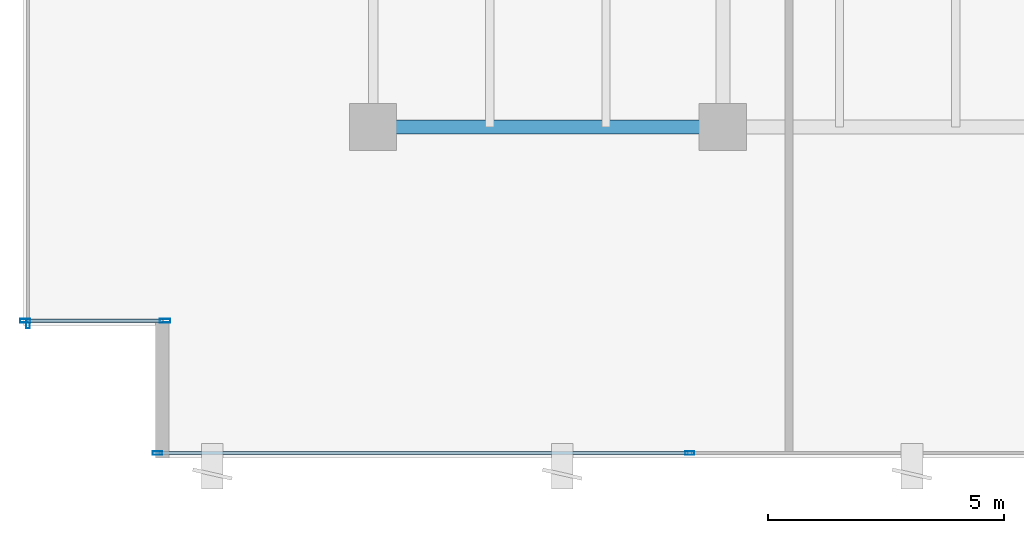
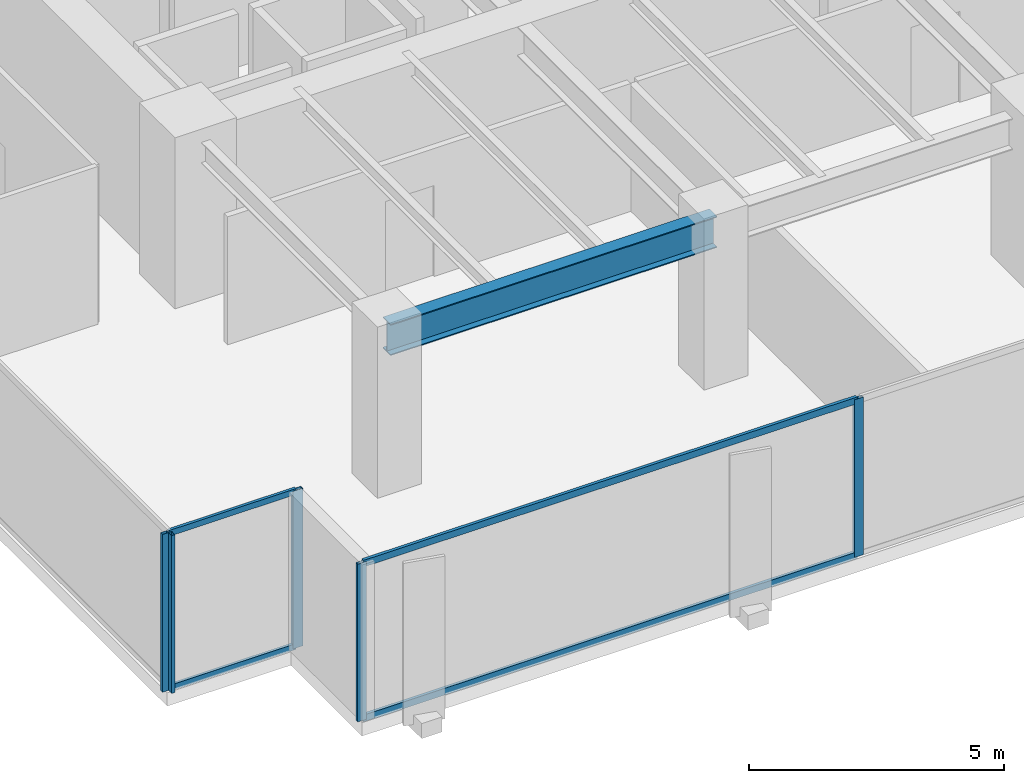
# One storey, part 2 of 36: 9 members, 1 beam, 3 elements without a shape of their own.
"""IFC4 building model written with IfcOpenShell, lengths in metres."""

from ifc_helpers import new_model, si_unit, direction, frame, origin, origin_2d, place, context, subcontext, project, spatial, hollow_rectangle, i_section, extrude, source, transform, mapped, material, layer, layer_set, material_profile, profile_set, type_object, type_shapes, element, aggregate, save


model = new_model("IFC4")

# Units and contexts
model_context = context("Model", 3, precision=1e-05, world=origin(), true_north=direction((0.0, 1.0)))
body_context = subcontext(model_context, "Body", "Model", "MODEL_VIEW")
ifc_project = project(units=[si_unit("LENGTHUNIT", "METRE"), si_unit("AREAUNIT", "SQUARE_METRE"), si_unit("VOLUMEUNIT", "CUBIC_METRE"), si_unit("PLANEANGLEUNIT", "RADIAN"), si_unit("MASSUNIT", "GRAM", prefix="KILO")], contexts=[model_context])

# Site, building, storey
site_placement = place(None, origin())
site = spatial("IfcSite", under=ifc_project, at=site_placement, CompositionType="ELEMENT")
building_placement = place(site_placement, origin())
building = spatial("IfcBuilding", under=site, at=building_placement, Name="Haelvirn Gate Laboratories", CompositionType="ELEMENT")
storey_placement = place(building_placement, frame((0.0, 0.0, 29.300048828125)))
storey = spatial("IfcBuildingStorey", under=building, at=storey_placement, Name="L07", CompositionType="ELEMENT", Elevation=29.300048828125)

# Beam
ifc_material_1 = material(Name="Steel SM355", Category="steel")
ifc_material_profile_1 = material_profile(ifc_material_1, i_section(OverallWidth=0.300048828125, OverallDepth=0.75, WebThickness=0.013916015625, FlangeThickness=0.02392578125, at=origin_2d()), Name="H-750x300x14x24")
ifc_profile_set_1 = profile_set([ifc_material_profile_1], Name="Steel SM355")
beam_type = type_object("IfcBeamType", Name="BM-G-750", PredefinedType="BEAM", material=ifc_profile_set_1)
shared_shape_1 = source(origin(), body_context, "Body", "SweptSolid", [
    extrude(i_section(OverallWidth=0.300048828125, OverallDepth=0.75, WebThickness=0.013916015625, FlangeThickness=0.02392578125, at=origin_2d()), origin(), (0.0, 0.0, 1.0), 7.400146484375),
])
type_shapes(beam_type, [shared_shape_1])
beam_placement = place(storey_placement, frame((7.39990234375, 7.0, 3.405029296875), z_axis=(1.0, 0.0, 0.0), x_axis=(0.0, 1.0, 0.0)))
element("IfcBeam", 1, at=beam_placement, inside=storey, type_object=beam_type, Name="L07 Primary Girder Y7.0 (7.4-14.8)", PredefinedType="BEAM", context=body_context, shape_type="MappedRepresentation", body=[
    mapped(shared_shape_1, transform((0.0, 0.0, 0.0), scale=1.0)),
])

# Curtain wall, members
ifc_material_2 = material(Name="Anodised bronze unitised aluminium & triple low-E glass", Category="aluminium")
ifc_layer_1 = layer(ifc_material_2, 0.18408203125, Name="CW-SYS-2")
ifc_layer_set_1 = layer_set([ifc_layer_1], Name="Anodised bronze unitised aluminium & triple low-E glass")
curtain_wall_type_1 = type_object("IfcCurtainWallType", Name="CW-SYS-2", PredefinedType="NOTDEFINED", material=ifc_layer_set_1)
curtain_wall_1_placement = place(storey_placement, origin())
curtain_wall_1 = element("IfcCurtainWall", 2, at=curtain_wall_1_placement, inside=storey, type_object=curtain_wall_type_1, Name="L07 Unitised Curtain Wall CW-L07-P0-E00-1", PredefinedType="NOTDEFINED")
ifc_material_3 = material(Name="Extruded aluminium 6063-T6 (anodised bronze)", Category="aluminium")
ifc_material_profile_2 = material_profile(ifc_material_3, hollow_rectangle(XDim=0.074951171875, YDim=0.199951171875, WallThickness=0.0048828125, at=origin_2d()), Name="CWM-200x75x5")
ifc_profile_set_2 = profile_set([ifc_material_profile_2], Name="Extruded aluminium 6063-T6 (anodised bronze)")
member_type_1 = type_object("IfcMemberType", Name="CWM-T200", PredefinedType="MULLION", material=ifc_profile_set_2)
shared_shape_2 = source(origin(), body_context, "Body", "SweptSolid", [
    extrude(hollow_rectangle(XDim=0.074951171875, YDim=0.199951171875, WallThickness=0.0048828125, at=origin_2d()), origin(), (0.0, 0.0, 1.0), 3.780029296875),
])
type_shapes(member_type_1, [shared_shape_2])
member_1_placement = place(storey_placement, frame((2.83740234375, 0.10009765625, 0.0), z_axis=(0.0, 0.0, 1.0), x_axis=(0.0, 1.0, 0.0)))
member_1 = element("IfcMember", 3, at=member_1_placement, type_object=member_type_1, Name="CW2 mullion 1", PredefinedType="MULLION", context=body_context, shape_type="MappedRepresentation", body=[
    mapped(shared_shape_2, transform((0.0, 0.0, 0.0), scale=1.0)),
])
member_2_placement = place(storey_placement, frame((14.10009765625, 0.10009765625, 0.0), z_axis=(0.0, 0.0, 1.0), x_axis=(0.0, 1.0, 0.0)))
member_2 = element("IfcMember", 4, at=member_2_placement, type_object=member_type_1, Name="CW2 mullion 2", PredefinedType="MULLION", context=body_context, shape_type="MappedRepresentation", body=[
    mapped(shared_shape_2, transform((0.0, 0.0, 0.0), scale=1.0)),
])

# Curtain wall, member
curtain_wall_2_placement = place(storey_placement, origin())
curtain_wall_2 = element("IfcCurtainWall", 5, at=curtain_wall_2_placement, inside=storey, type_object=curtain_wall_type_1, Name="L07 Unitised Curtain Wall CW-L07-P0-E17", PredefinedType="NOTDEFINED")
member_3_placement = place(storey_placement, frame((0.10009765625, 2.83740234375, 0.0), z_axis=(0.0, 0.0, 1.0), x_axis=(1.0, 0.0, 0.0)))
member_3 = element("IfcMember", 6, at=member_3_placement, type_object=member_type_1, Name="CW2 mullion 4", PredefinedType="MULLION", context=body_context, shape_type="MappedRepresentation", body=[
    mapped(shared_shape_2, transform((0.0, 0.0, 0.0), scale=1.0)),
])
aggregate(curtain_wall_2, [member_3])

# Member
ifc_material_profile_3 = material_profile(ifc_material_3, hollow_rectangle(XDim=0.070068359375, YDim=0.159912109375, WallThickness=0.0048828125, at=origin_2d()), Name="CWT-160x70x5")
ifc_profile_set_3 = profile_set([ifc_material_profile_3], Name="Extruded aluminium 6063-T6 (anodised bronze)")
member_type_2 = type_object("IfcMemberType", Name="CWT-T160", PredefinedType="USERDEFINED", material=ifc_profile_set_3)
shared_shape_3 = source(origin(), body_context, "Body", "SweptSolid", [
    extrude(hollow_rectangle(XDim=0.070068359375, YDim=0.159912109375, WallThickness=0.0048828125, at=origin_2d()), origin(), (0.0, 0.0, 1.0), 11.1875),
])
type_shapes(member_type_2, [shared_shape_3])
member_4_placement = place(storey_placement, frame((2.875, 0.10009765625, 0.034912109375), z_axis=(1.0, 0.0, 0.0), x_axis=(0.0, 1.0, 0.0)))
member_4 = element("IfcMember", 7, at=member_4_placement, type_object=member_type_2, Name="CW2 transom 1.1", ObjectType="TRANSOM", PredefinedType="USERDEFINED", context=body_context, shape_type="MappedRepresentation", body=[
    mapped(shared_shape_3, transform((0.0, 0.0, 0.0), scale=1.0)),
])

member_5_placement = place(storey_placement, frame((2.875, 0.10009765625, 3.744873046875), z_axis=(1.0, 0.0, 0.0), x_axis=(0.0, 1.0, 0.0)))
member_5 = element("IfcMember", 8, at=member_5_placement, type_object=member_type_2, Name="CW2 transom 1.2", ObjectType="TRANSOM", PredefinedType="USERDEFINED", context=body_context, shape_type="MappedRepresentation", body=[
    mapped(shared_shape_3, transform((0.0, 0.0, 0.0), scale=1.0)),
])

aggregate(curtain_wall_1, [member_1, member_2, member_4, member_5])

# Curtain wall, members
ifc_layer_2 = layer(ifc_material_2, 0.181884765625, Name="CW-SYS-5")
ifc_layer_set_2 = layer_set([ifc_layer_2], Name="Anodised bronze unitised aluminium & triple low-E glass")
curtain_wall_type_2 = type_object("IfcCurtainWallType", Name="CW-SYS-5", PredefinedType="NOTDEFINED", material=ifc_layer_set_2)
curtain_wall_3_placement = place(storey_placement, origin())
curtain_wall_3 = element("IfcCurtainWall", 9, at=curtain_wall_3_placement, inside=storey, type_object=curtain_wall_type_2, Name="L07 Unitised Curtain Wall CW-L07-P0-E18-1", PredefinedType="NOTDEFINED")
ifc_material_profile_4 = material_profile(ifc_material_3, hollow_rectangle(XDim=0.080078125, YDim=0.219970703125, WallThickness=0.006103515625, at=origin_2d()), Name="CWM-220x80x6")
ifc_profile_set_4 = profile_set([ifc_material_profile_4], Name="Extruded aluminium 6063-T6 (anodised bronze)")
member_type_3 = type_object("IfcMemberType", Name="CWM-T220", PredefinedType="MULLION", material=ifc_profile_set_4)
shared_shape_4 = source(origin(), body_context, "Body", "SweptSolid", [
    extrude(hollow_rectangle(XDim=0.080078125, YDim=0.219970703125, WallThickness=0.006103515625, at=origin_2d()), origin(), (0.0, 0.0, 1.0), 3.780029296875),
])
type_shapes(member_type_3, [shared_shape_4])
member_6_placement = place(storey_placement, frame((0.0400390625, 2.89990234375, 0.0), z_axis=(0.0, 0.0, 1.0), x_axis=(0.0, 1.0, 0.0)))
member_6 = element("IfcMember", 10, at=member_6_placement, type_object=member_type_3, Name="CW5 mullion 1", PredefinedType="MULLION", context=body_context, shape_type="MappedRepresentation", body=[
    mapped(shared_shape_4, transform((0.0, 0.0, 0.0), scale=1.0)),
])
member_7_placement = place(storey_placement, frame((3.0, 2.89990234375, 0.0), z_axis=(0.0, 0.0, 1.0), x_axis=(0.0, 1.0, 0.0)))
member_7 = element("IfcMember", 11, at=member_7_placement, type_object=member_type_3, Name="CW5 mullion 2", PredefinedType="MULLION", context=body_context, shape_type="MappedRepresentation", body=[
    mapped(shared_shape_4, transform((0.0, 0.0, 0.0), scale=1.0)),
])
ifc_material_profile_5 = material_profile(ifc_material_3, hollow_rectangle(XDim=0.06494140625, YDim=0.139892578125, WallThickness=0.00390625, at=origin_2d()), Name="CWT-140x65x4")
ifc_profile_set_5 = profile_set([ifc_material_profile_5], Name="Extruded aluminium 6063-T6 (anodised bronze)")
member_type_4 = type_object("IfcMemberType", Name="CWT-T140", PredefinedType="USERDEFINED", material=ifc_profile_set_5)
shared_shape_5 = source(origin(), body_context, "Body", "SweptSolid", [
    extrude(hollow_rectangle(XDim=0.06494140625, YDim=0.139892578125, WallThickness=0.00390625, at=origin_2d()), origin(), (0.0, 0.0, 1.0), 2.8798828125),
])
type_shapes(member_type_4, [shared_shape_5])
member_8_placement = place(storey_placement, frame((0.080078125, 2.89990234375, 0.032470703125), z_axis=(1.0, 0.0, 0.0), x_axis=(0.0, 1.0, 0.0)))
member_8 = element("IfcMember", 12, at=member_8_placement, type_object=member_type_4, Name="CW5 transom 1.1", ObjectType="TRANSOM", PredefinedType="USERDEFINED", context=body_context, shape_type="MappedRepresentation", body=[
    mapped(shared_shape_5, transform((0.0, 0.0, 0.0), scale=1.0)),
])
member_9_placement = place(storey_placement, frame((0.080078125, 2.89990234375, 3.74755859375), z_axis=(1.0, 0.0, 0.0), x_axis=(0.0, 1.0, 0.0)))
member_9 = element("IfcMember", 13, at=member_9_placement, type_object=member_type_4, Name="CW5 transom 1.2", ObjectType="TRANSOM", PredefinedType="USERDEFINED", context=body_context, shape_type="MappedRepresentation", body=[
    mapped(shared_shape_5, transform((0.0, 0.0, 0.0), scale=1.0)),
])
aggregate(curtain_wall_3, [member_6, member_7, member_8, member_9])

save(model, "model.ifc")
